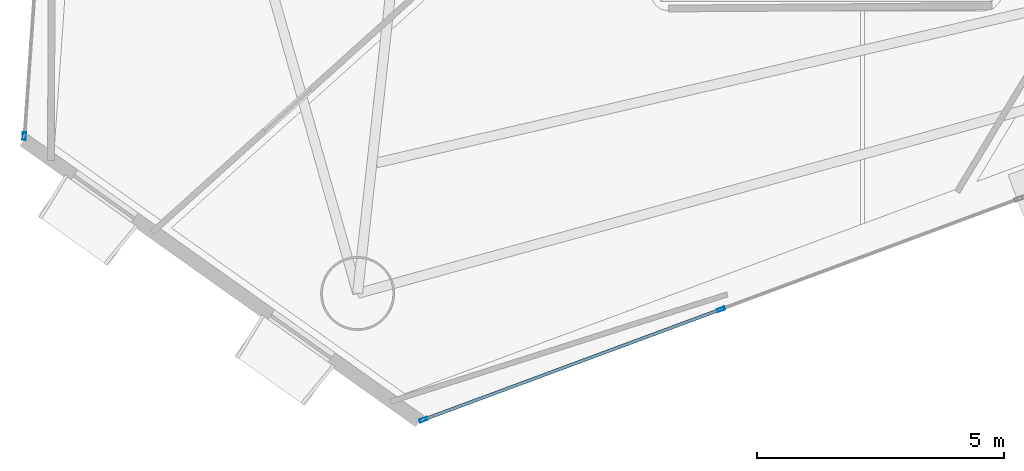
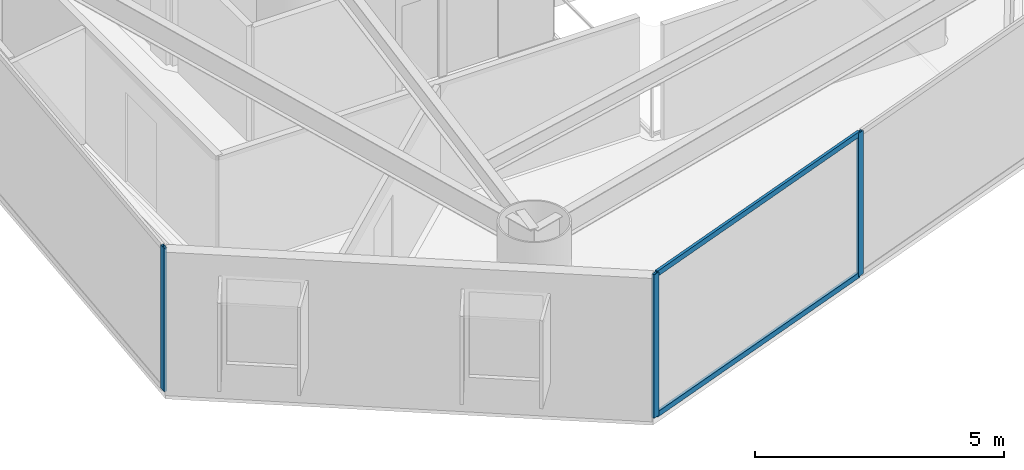
# One storey, part 2 of 21: 5 members, 2 elements without a shape of their own.
"""IFC4 building model written with IfcOpenShell, lengths in metres."""

from ifc_helpers import new_model, si_unit, direction, frame, origin, origin_2d, place, context, subcontext, project, spatial, hollow_rectangle, extrude, material, layer, layer_set, material_profile, profile_set, type_object, element, aggregate, save


model = new_model("IFC4")

# Units and contexts
model_context = context("Model", 3, precision=1e-05, world=origin(), true_north=direction((0.0, 1.0)))
body_context = subcontext(model_context, "Body", "Model", "MODEL_VIEW")
ifc_project = project(units=[si_unit("LENGTHUNIT", "METRE"), si_unit("AREAUNIT", "SQUARE_METRE"), si_unit("VOLUMEUNIT", "CUBIC_METRE"), si_unit("PLANEANGLEUNIT", "RADIAN"), si_unit("MASSUNIT", "GRAM", prefix="KILO")], contexts=[model_context])

# Site, building, storey
site_placement = place(None, origin())
site = spatial("IfcSite", under=ifc_project, at=site_placement, CompositionType="ELEMENT")
building_placement = place(site_placement, origin())
building = spatial("IfcBuilding", under=site, at=building_placement, Name="Qianvela Tower", CompositionType="ELEMENT")
storey_placement = place(building_placement, frame((0.0, 0.0, 127.39990234375)))
storey = spatial("IfcBuildingStorey", under=building, at=storey_placement, Name="L32", CompositionType="ELEMENT", Elevation=127.39990234375)

# Curtain wall, member
ifc_material_1 = material(Name="Anodised Architectural Aluminium and Low-E Glass", Category="aluminium")
ifc_layer = layer(ifc_material_1, 0.169921875)
ifc_layer_set = layer_set([ifc_layer], Name="Anodised Architectural Aluminium and Low-E Glass")
curtain_wall_type = type_object("IfcCurtainWallType", Name="CW-COLIV-Z34", PredefinedType="USERDEFINED", material=ifc_layer_set)
curtain_wall_1_placement = place(storey_placement, origin())
curtain_wall_1 = element("IfcCurtainWall", 1, at=curtain_wall_1_placement, inside=storey, type_object=curtain_wall_type, Name="L32 CW-COLIV-Z34 Curtain Wall 04C", ObjectType="CURTAIN_WALL_SYSTEM", PredefinedType="USERDEFINED")
ifc_material_2 = material(Name="Anodised Architectural Aluminium 6063-T6", Category="aluminium")
ifc_material_profile_1 = material_profile(ifc_material_2, hollow_rectangle(XDim=0.06494140625, YDim=0.159912109375, WallThickness=0.0048828125, at=origin_2d()), Name="ALU-MULL-65x160")
ifc_profile_set_1 = profile_set([ifc_material_profile_1], Name="Anodised Architectural Aluminium 6063-T6")
member_type_1 = type_object("IfcMemberType", Name="CW-COLIV-Z34-MULL", PredefinedType="MULLION", material=ifc_profile_set_1)
member_1_placement = place(storey_placement, frame((20.53125, 15.101318359375, 0.0), z_axis=(0.0, 0.0, 1.0), x_axis=(0.997564487646, -0.069750218555, 0.0)))
member_1 = element("IfcMember", 2, at=member_1_placement, type_object=member_type_1, Name="CW-4 mullion 2", PredefinedType="MULLION", context=body_context, shape_type="SweptSolid", body=[
    extrude(hollow_rectangle(XDim=0.06494140625, YDim=0.159912109375, WallThickness=0.0048828125, at=origin_2d()), origin(), (0.0, 0.0, 1.0), 3.52001953125),
])
aggregate(curtain_wall_1, [member_1])

# Curtain wall, members
curtain_wall_2_placement = place(storey_placement, origin())
curtain_wall_2 = element("IfcCurtainWall", 3, at=curtain_wall_2_placement, inside=storey, type_object=curtain_wall_type, Name="L32 CW-COLIV-Z34 Curtain Wall 06A", ObjectType="CURTAIN_WALL_SYSTEM", PredefinedType="USERDEFINED")
member_2_placement = place(storey_placement, frame((28.6259765625, 9.348876953125, 0.0), z_axis=(0.0, 0.0, 1.0), x_axis=(-0.347798824556, 0.937569185521, 0.0)))
member_2 = element("IfcMember", 4, at=member_2_placement, type_object=member_type_1, Name="CW-4 mullion 1", PredefinedType="MULLION", context=body_context, shape_type="SweptSolid", body=[
    extrude(hollow_rectangle(XDim=0.06494140625, YDim=0.159912109375, WallThickness=0.0048828125, at=origin_2d()), origin(), (0.0, 0.0, 1.0), 3.52001953125),
])
member_3_placement = place(storey_placement, frame((34.66162109375, 11.587890625, 0.0), z_axis=(0.0, 0.0, 1.0), x_axis=(-0.347798824556, 0.937569185521, 0.0)))
member_3 = element("IfcMember", 5, at=member_3_placement, type_object=member_type_1, Name="CW-4 mullion 2", PredefinedType="MULLION", context=body_context, shape_type="SweptSolid", body=[
    extrude(hollow_rectangle(XDim=0.06494140625, YDim=0.159912109375, WallThickness=0.0048828125, at=origin_2d()), origin(), (0.0, 0.0, 1.0), 3.52001953125),
])
ifc_material_3 = material(Name="Anodised Architectural Aluminium 6063-T6", Category="aluminium")
ifc_material_profile_2 = material_profile(ifc_material_3, hollow_rectangle(XDim=0.06494140625, YDim=0.1298828125, WallThickness=0.00439453125, at=origin_2d()), Name="ALU-TRAN-65x130")
ifc_profile_set_2 = profile_set([ifc_material_profile_2], Name="Anodised Architectural Aluminium 6063-T6")
member_type_2 = type_object("IfcMemberType", Name="CW-COLIV-Z34-TRAN", PredefinedType="USERDEFINED", material=ifc_profile_set_2)
member_4_placement = place(storey_placement, frame((28.656494140625, 9.360107421875, 0.03271484375), z_axis=(0.937557755096, 0.347829636258, 0.0), x_axis=(-0.347829636258, 0.937557755096, 0.0)))
member_4 = element("IfcMember", 6, at=member_4_placement, type_object=member_type_2, Name="CW-4 transom 1.1", ObjectType="TRANSOM", PredefinedType="USERDEFINED", context=body_context, shape_type="SweptSolid", body=[
    extrude(hollow_rectangle(XDim=0.06494140625, YDim=0.1298828125, WallThickness=0.00439453125, at=origin_2d()), origin(), (0.0, 0.0, 1.0), 6.37255859375),
])
member_5_placement = place(storey_placement, frame((28.656494140625, 9.360107421875, 3.487548828125), z_axis=(0.937557755096, 0.347829636258, 0.0), x_axis=(-0.347829636258, 0.937557755096, 0.0)))
member_5 = element("IfcMember", 7, at=member_5_placement, type_object=member_type_2, Name="CW-4 transom 1.2", ObjectType="TRANSOM", PredefinedType="USERDEFINED", context=body_context, shape_type="SweptSolid", body=[
    extrude(hollow_rectangle(XDim=0.06494140625, YDim=0.1298828125, WallThickness=0.00439453125, at=origin_2d()), origin(), (0.0, 0.0, 1.0), 6.37255859375),
])
aggregate(curtain_wall_2, [member_2, member_3, member_4, member_5])

save(model, "model.ifc")
